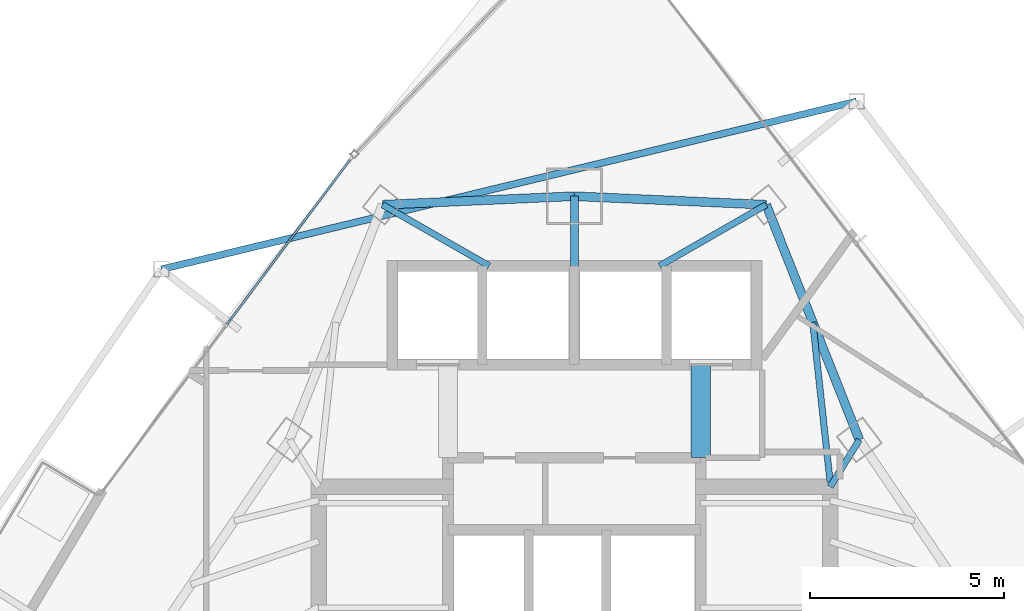
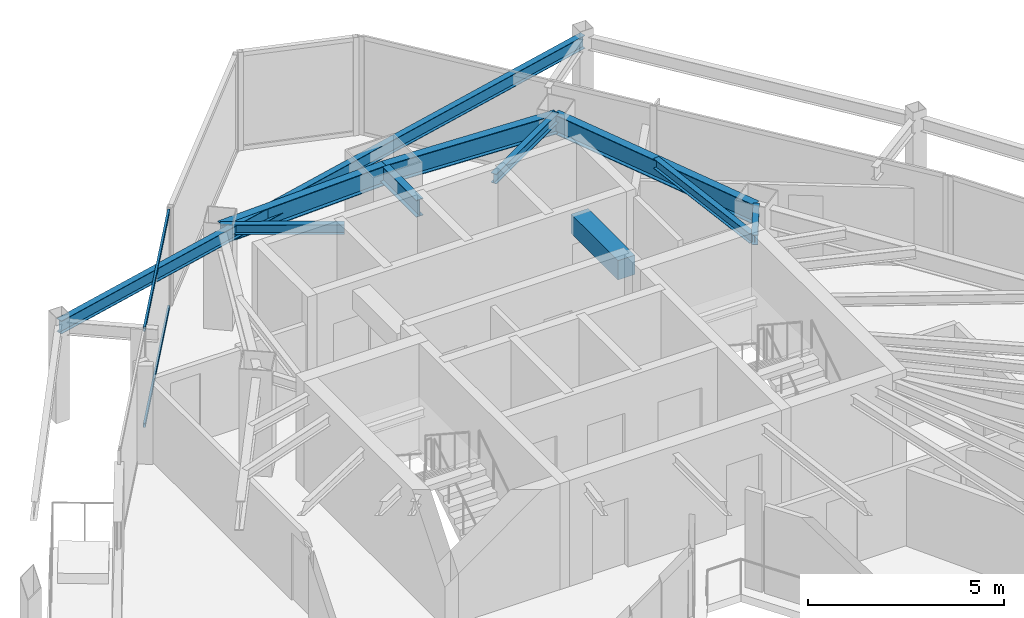
# One storey, part 20 of 29: 10 beams, 2 members, 1 element without a shape of its own.
"""IFC4 building model written with IfcOpenShell, lengths in metres."""

from ifc_helpers import new_model, si_unit, direction, frame, origin, origin_2d, place, context, subcontext, project, spatial, rectangle, hollow_rectangle, i_section, extrude, material, layer, layer_set, material_profile, profile_set, type_object, element, aggregate, save


model = new_model("IFC4")

# Units and contexts
model_context = context("Model", 3, precision=1e-05, world=origin(), true_north=direction((0.0, 1.0)))
body_context = subcontext(model_context, "Body", "Model", "MODEL_VIEW")
ifc_project = project(units=[si_unit("LENGTHUNIT", "METRE"), si_unit("AREAUNIT", "SQUARE_METRE"), si_unit("VOLUMEUNIT", "CUBIC_METRE"), si_unit("PLANEANGLEUNIT", "RADIAN"), si_unit("MASSUNIT", "GRAM", prefix="KILO")], contexts=[model_context])

# Site, building, storey
site_placement = place(None, origin())
site = spatial("IfcSite", under=ifc_project, at=site_placement, CompositionType="ELEMENT")
building_placement = place(site_placement, origin())
building = spatial("IfcBuilding", under=site, at=building_placement, Name="Orvanel Arch Residences", CompositionType="ELEMENT")
storey_placement = place(building_placement, frame((0.0, 0.0, 173.75)))
storey = spatial("IfcBuildingStorey", under=building, at=storey_placement, Name="L49", CompositionType="ELEMENT", Elevation=173.75)

# Beams
ifc_material_1 = material(Name="Structural steel AS/NZS 3679.1 Grade 300 (300 MPa)", Category="steel")
ifc_material_profile_1 = material_profile(ifc_material_1, i_section(OverallWidth=0.208984375, OverallDepth=0.532958984375, WebThickness=0.01025390625, FlangeThickness=0.015625, at=origin_2d()), Name="530UB92.4")
ifc_profile_set_1 = profile_set([ifc_material_profile_1], Name="Structural steel AS/NZS 3679.1 Grade 300 (300 MPa)")
beam_type_1 = type_object("IfcBeamType", Name="BG-530UB", PredefinedType="BEAM", material=ifc_profile_set_1)
beam_1_placement = place(storey_placement, frame((33.0, 39.550048828125, 2.79296875), z_axis=(0.0, 1.0, 0.0), x_axis=(-1.0, 0.0, 0.0)))
element("IfcBeam", 1, at=beam_1_placement, inside=storey, type_object=beam_type_1, Name="L49 North Radial Girder", PredefinedType="BEAM", context=body_context, shape_type="SweptSolid", body=[
    extrude(i_section(OverallWidth=0.208984375, OverallDepth=0.532958984375, WebThickness=0.01025390625, FlangeThickness=0.015625, at=origin_2d()), origin(), (0.0, 0.0, 1.0), 1.847900390625),
])
ifc_material_profile_2 = material_profile(ifc_material_1, i_section(OverallWidth=0.1650390625, OverallDepth=0.303955078125, WebThickness=0.006103515625, FlangeThickness=0.01025390625, at=origin_2d()), Name="310UB40.4")
ifc_profile_set_2 = profile_set([ifc_material_profile_2], Name="Structural steel AS/NZS 3679.1 Grade 300 (300 MPa)")
beam_type_2 = type_object("IfcBeamType", Name="BJ-310UB", PredefinedType="JOIST", material=ifc_profile_set_2)
beam_2_placement = place(storey_placement, frame((39.60009765625, 33.89990234375, 2.907958984375), z_axis=(0.526843290616, 0.84996243866, 0.0), x_axis=(-0.84996243866, 0.526843290616, 0.0)))
element("IfcBeam", 2, at=beam_2_placement, inside=storey, type_object=beam_type_2, Name="L49 NNE Wing Floor Joist", PredefinedType="JOIST", context=body_context, shape_type="SweptSolid", body=[
    extrude(i_section(OverallWidth=0.1650390625, OverallDepth=0.303955078125, WebThickness=0.006103515625, FlangeThickness=0.01025390625, at=origin_2d()), origin(), (0.0, 0.0, 1.0), 1.42724609375),
])
beam_3_placement = place(storey_placement, frame((39.60009765625, 34.02001953125, 2.907958984375), z_axis=(-0.108261441852, 0.99412245735, 0.0), x_axis=(-0.99412245735, -0.108261441852, 0.0)))
element("IfcBeam", 3, at=beam_3_placement, inside=storey, type_object=beam_type_2, Name="L49 NNE2 Wing Floor Joist", PredefinedType="JOIST", context=body_context, shape_type="SweptSolid", body=[
    extrude(i_section(OverallWidth=0.1650390625, OverallDepth=0.303955078125, WebThickness=0.006103515625, FlangeThickness=0.01025390625, at=origin_2d()), origin(), (0.0, 0.0, 1.0), 4.1494140625),
])
for number, where, z_axis, x_axis, name in (
    (4, (30.800048828125, 39.60009765625, 2.907958984375), (-0.86736513383, 0.497672306458, 0.0), (-0.497672306458, -0.86736513383, 0.0), "L49 MNW Wing Floor Joist"),
    (5, (35.199951171875, 39.60009765625, 2.907958984375), (0.86736513383, 0.497672306458, 0.0), (-0.497672306458, 0.86736513383, 0.0), "L49 MNE Wing Floor Joist"),
):
    element("IfcBeam", number, at=place(storey_placement, frame(where, z_axis=z_axis, x_axis=x_axis)), inside=storey, type_object=beam_type_2, Name=name, PredefinedType="JOIST", context=body_context, shape_type="SweptSolid", body=[
        extrude(i_section(OverallWidth=0.1650390625, OverallDepth=0.303955078125, WebThickness=0.006103515625, FlangeThickness=0.01025390625, at=origin_2d()), origin(), (0.0, 0.0, 1.0), 3.17041015625),
    ])
ifc_material_2 = material(Name="Concrete S65 (65 MPa)", Category="concrete")
ifc_material_profile_3 = material_profile(ifc_material_2, rectangle(XDim=0.5, YDim=0.60009765625, at=origin_2d()), Name="RC500x600")
ifc_profile_set_3 = profile_set([ifc_material_profile_3], Name="Concrete S65 (65 MPa)")
beam_type_3 = type_object("IfcBeamType", Name="CB-500x600", PredefinedType="LINTEL", material=ifc_profile_set_3)
beam_4_placement = place(storey_placement, frame((36.260009765625, 34.64990234375, 2.760009765625), z_axis=(0.0, 1.0, 0.0), x_axis=(-1.0, 0.0, 0.0)))
element("IfcBeam", 6, at=beam_4_placement, inside=storey, type_object=beam_type_3, Name="L49 East Core Lobby Coupling Lintel Beam", PredefinedType="LINTEL", context=body_context, shape_type="SweptSolid", body=[
    extrude(rectangle(XDim=0.5, YDim=0.60009765625, at=origin_2d()), origin(), (0.0, 0.0, 1.0), 2.400146484375),
])
ifc_material_profile_4 = material_profile(ifc_material_1, i_section(OverallWidth=0.177978515625, OverallDepth=0.406005859375, WebThickness=0.0078125, FlangeThickness=0.0126953125, at=origin_2d()), Name="410UB59.7")
ifc_profile_set_4 = profile_set([ifc_material_profile_4], Name="Structural steel AS/NZS 3679.1 Grade 300 (300 MPa)")
beam_type_4 = type_object("IfcBeamType", Name="OB-410UB-EXT", PredefinedType="SPANDREL", material=ifc_profile_set_4)
beam_5_placement = place(storey_placement, frame((40.281982421875, 43.843994140625, 2.85693359375), z_axis=(-0.972058271966, -0.23473967688, 0.0), x_axis=(0.23473967688, -0.972058271966, 0.0)))
element("IfcBeam", 7, at=beam_5_placement, inside=storey, type_object=beam_type_4, Name="L49 Outer Perimeter Floor Ring Beam 12", PredefinedType="SPANDREL", context=body_context, shape_type="SweptSolid", body=[
    extrude(i_section(OverallWidth=0.177978515625, OverallDepth=0.406005859375, WebThickness=0.0078125, FlangeThickness=0.0126953125, at=origin_2d()), origin(), (0.0, 0.0, 1.0), 18.45458984375),
])
ifc_material_profile_5 = material_profile(ifc_material_1, i_section(OverallWidth=0.22900390625, OverallDepth=0.612060546875, WebThickness=0.011962890625, FlangeThickness=0.01953125, at=origin_2d()), Name="610UB125")
ifc_profile_set_5 = profile_set([ifc_material_profile_5], Name="Structural steel AS/NZS 3679.1 Grade 300 (300 MPa)")
beam_type_5 = type_object("IfcBeamType", Name="SP-610UB", PredefinedType="SPANDREL", material=ifc_profile_set_5)
beam_6_placement = place(storey_placement, frame((40.35205078125, 35.113037109375, 2.75390625), z_axis=(-0.368233143579, 0.929733484376, 0.0), x_axis=(-0.929733484376, -0.368233143579, 0.0)))
element("IfcBeam", 8, at=beam_6_placement, inside=storey, type_object=beam_type_5, Name="L49 Perimeter Spandrel Beam 13", PredefinedType="SPANDREL", context=body_context, shape_type="SweptSolid", body=[
    extrude(i_section(OverallWidth=0.22900390625, OverallDepth=0.612060546875, WebThickness=0.011962890625, FlangeThickness=0.01953125, at=origin_2d()), origin(), (0.0, 0.0, 1.0), 6.523193359375),
])
for number, where, z_axis, x_axis, name in (
    (9, (37.949951171875, 41.177978515625, 2.75390625), (-0.999014049296, 0.044395149614, 0.0), (-0.044395149614, -0.999014049296, 0.0), "L49 Perimeter Spandrel Beam 14"),
    (10, (33.0, 41.39794921875, 2.75390625), (-0.999014049296, -0.044395149614, 0.0), (0.044395149614, -0.999014049296, 0.0), "L49 Perimeter Spandrel Beam 15"),
):
    element("IfcBeam", number, at=place(storey_placement, frame(where, z_axis=z_axis, x_axis=x_axis)), inside=storey, type_object=beam_type_5, Name=name, PredefinedType="SPANDREL", context=body_context, shape_type="SweptSolid", body=[
        extrude(i_section(OverallWidth=0.22900390625, OverallDepth=0.612060546875, WebThickness=0.011962890625, FlangeThickness=0.01953125, at=origin_2d()), origin(), (0.0, 0.0, 1.0), 4.954833984375),
    ])

# Curtain wall, members
ifc_material_3 = material(Name="Bronze-anodised aluminium AA6063-T6", Category="aluminium")
ifc_layer = layer(ifc_material_3, 0.179931640625)
ifc_layer_set = layer_set([ifc_layer], Name="Bronze-anodised aluminium AA6063-T6")
curtain_wall_type = type_object("IfcCurtainWallType", Name="CW3-MID-SYS", PredefinedType="NOTDEFINED", material=ifc_layer_set)
curtain_wall_placement = place(storey_placement, origin())
curtain_wall = element("IfcCurtainWall", 11, at=curtain_wall_placement, inside=storey, type_object=curtain_wall_type, Name="L49 CW3-MID-SYS Unitised Curtain Wall", PredefinedType="NOTDEFINED")
ifc_material_profile_6 = material_profile(ifc_material_3, hollow_rectangle(XDim=0.06005859375, YDim=0.135009765625, WallThickness=0.00390625, at=origin_2d()), Name="ALU135x60x4")
ifc_profile_set_6 = profile_set([ifc_material_profile_6], Name="Bronze-anodised aluminium AA6063-T6")
member_type = type_object("IfcMemberType", Name="TRN-135x60", PredefinedType="USERDEFINED", material=ifc_profile_set_6)
member_1_placement = place(storey_placement, frame((27.2060546875, 42.3388671875, 0.030029296875), z_axis=(-0.598279362575, -0.801287591516, 0.0), x_axis=(0.801287591516, -0.598279362575, 0.0)))
member_1 = element("IfcMember", 12, at=member_1_placement, type_object=member_type, Name="CW-S3 transom 1.1", ObjectType="TRANSOM", PredefinedType="USERDEFINED", context=body_context, shape_type="SweptSolid", body=[
    extrude(hollow_rectangle(XDim=0.06005859375, YDim=0.135009765625, WallThickness=0.00390625, at=origin_2d()), origin(), (0.0, 0.0, 1.0), 5.2939453125),
])
member_2_placement = place(storey_placement, frame((27.2060546875, 42.3388671875, 3.030029296875), z_axis=(-0.598279362575, -0.801287591516, 0.0), x_axis=(0.801287591516, -0.598279362575, 0.0)))
member_2 = element("IfcMember", 13, at=member_2_placement, type_object=member_type, Name="CW-S3 transom 1.2", ObjectType="TRANSOM", PredefinedType="USERDEFINED", context=body_context, shape_type="SweptSolid", body=[
    extrude(hollow_rectangle(XDim=0.06005859375, YDim=0.135009765625, WallThickness=0.00390625, at=origin_2d()), origin(), (0.0, 0.0, 1.0), 5.2939453125),
])
aggregate(curtain_wall, [member_1, member_2])

save(model, "model.ifc")
